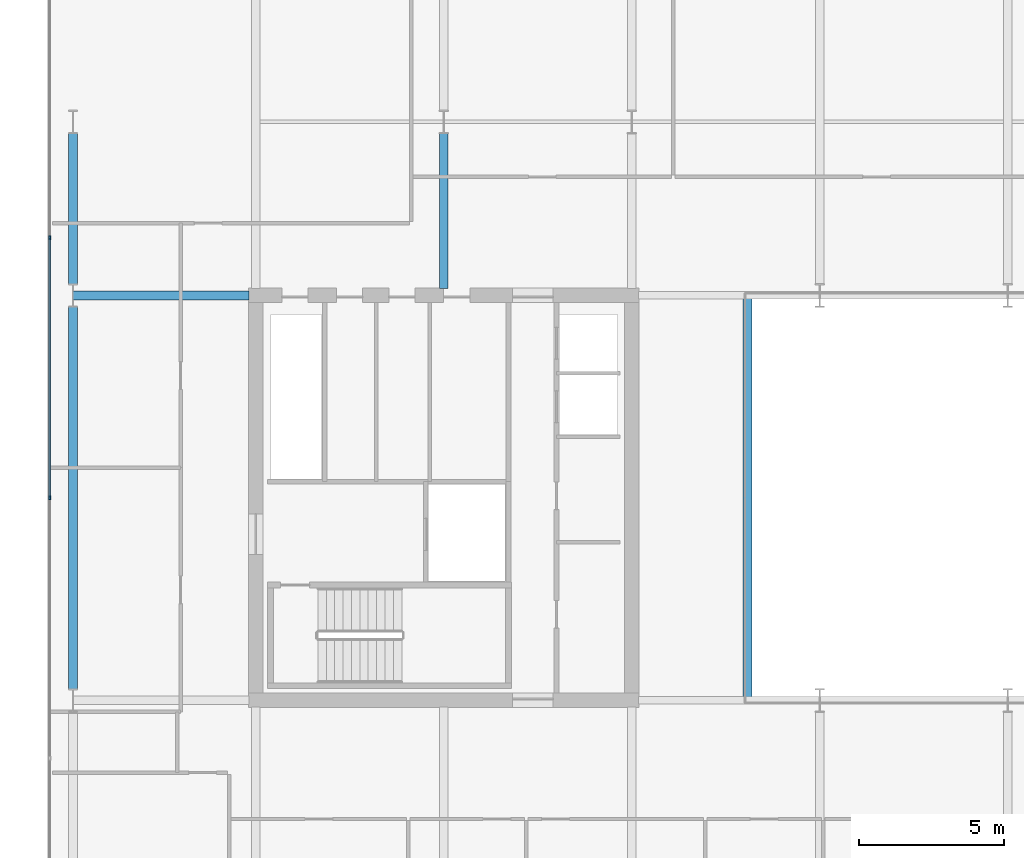
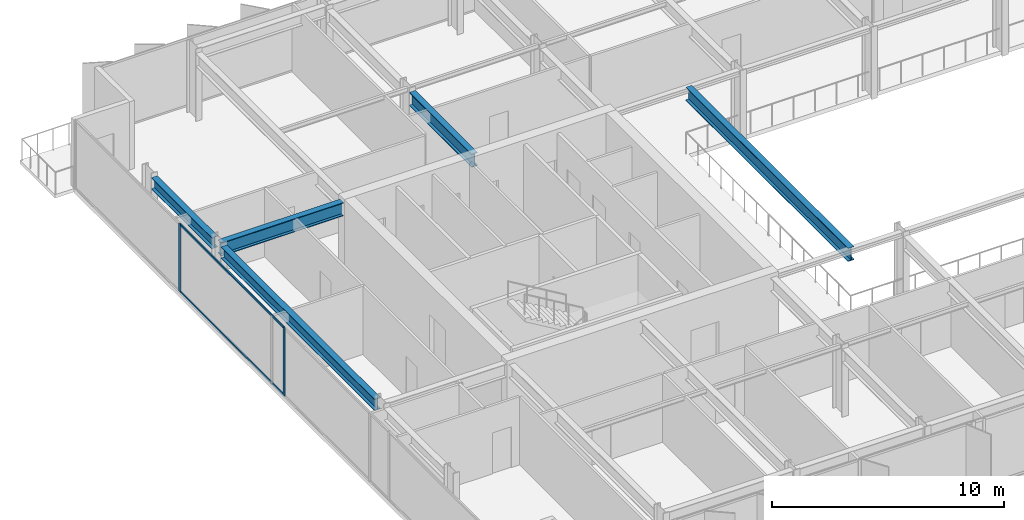
# One storey, part 5 of 23: 5 beams, 4 members, 1 element without a shape of its own.
"""IFC4 building model written with IfcOpenShell, lengths in metres."""

from ifc_helpers import new_model, si_unit, direction, frame, origin, origin_2d, place, context, subcontext, project, spatial, rectangle, i_section, extrude, material, layer, layer_set, material_profile, profile_set, type_object, element, aggregate, save


model = new_model("IFC4")

# Units and contexts
model_context = context("Model", 3, precision=1e-05, world=origin(), true_north=direction((0.0, 1.0)))
body_context = subcontext(model_context, "Body", "Model", "MODEL_VIEW")
ifc_project = project(units=[si_unit("LENGTHUNIT", "METRE"), si_unit("AREAUNIT", "SQUARE_METRE"), si_unit("VOLUMEUNIT", "CUBIC_METRE"), si_unit("PLANEANGLEUNIT", "RADIAN"), si_unit("MASSUNIT", "GRAM", prefix="KILO")], contexts=[model_context])

# Site, building, storey
site_placement = place(None, origin())
site = spatial("IfcSite", under=ifc_project, at=site_placement, CompositionType="ELEMENT")
building_placement = place(site_placement, origin())
building = spatial("IfcBuilding", under=site, at=building_placement, Name="Putna Gate Headquarters", CompositionType="ELEMENT")
storey_placement = place(building_placement, frame((0.0, 0.0, 217.60009765625)))
storey = spatial("IfcBuildingStorey", under=building, at=storey_placement, Name="L54", CompositionType="ELEMENT", Elevation=217.60009765625)

# Beams
ifc_material_1 = material(Name="Steel S355J2", Category="steel")
ifc_material_profile_1 = material_profile(ifc_material_1, i_section(OverallWidth=0.300048828125, OverallDepth=0.699951171875, WebThickness=0.01708984375, FlangeThickness=0.031982421875, at=origin_2d()), Name="Steel S355J2")
ifc_profile_set_1 = profile_set([ifc_material_profile_1], Name="Steel S355J2")
beam_type_1 = type_object("IfcBeamType", Name="BM-GIRD-B-HEB700", PredefinedType="USERDEFINED", material=ifc_profile_set_1)
beam_1_placement = place(storey_placement, frame((6.68603515625, 33.0, 3.22998046875), z_axis=(1.0, 0.0, 0.0), x_axis=(0.0, 1.0, 0.0)))
element("IfcBeam", 1, at=beam_1_placement, inside=storey, type_object=beam_type_1, Name="L54 West Wing Girder Y33", ObjectType="GIRDER", PredefinedType="USERDEFINED", context=body_context, shape_type="SweptSolid", body=[
    extrude(i_section(OverallWidth=0.300048828125, OverallDepth=0.699951171875, WebThickness=0.01708984375, FlangeThickness=0.031982421875, at=origin_2d()), origin(), (0.0, 0.0, 1.0), 6.078857421875),
])
beam_2_placement = place(storey_placement, frame((19.5, 33.235107421875, 3.22998046875), z_axis=(0.0, 1.0, 0.0), x_axis=(-1.0, 0.0, 0.0)))
element("IfcBeam", 2, at=beam_2_placement, inside=storey, type_object=beam_type_1, Name="L54 North Primary Girder X19-1", ObjectType="GIRDER", PredefinedType="USERDEFINED", context=body_context, shape_type="SweptSolid", body=[
    extrude(i_section(OverallWidth=0.300048828125, OverallDepth=0.699951171875, WebThickness=0.01708984375, FlangeThickness=0.031982421875, at=origin_2d()), origin(), (0.0, 0.0, 1.0), 5.369873046875),
])
beam_3_placement = place(storey_placement, frame((30.0, 19.010009765625, 3.22998046875), z_axis=(0.0, 1.0, 0.0), x_axis=(-1.0, 0.0, 0.0)))
element("IfcBeam", 3, at=beam_3_placement, inside=storey, type_object=beam_type_1, Name="L54 Atrium Trim Girder AW", ObjectType="GIRDER", PredefinedType="USERDEFINED", context=body_context, shape_type="SweptSolid", body=[
    extrude(i_section(OverallWidth=0.300048828125, OverallDepth=0.699951171875, WebThickness=0.01708984375, FlangeThickness=0.031982421875, at=origin_2d()), origin(), (0.0, 0.0, 1.0), 13.97998046875),
])
ifc_material_profile_2 = material_profile(ifc_material_1, i_section(OverallWidth=0.300048828125, OverallDepth=0.590087890625, WebThickness=0.012939453125, FlangeThickness=0.02490234375, at=origin_2d()), Name="Steel S355J2")
ifc_profile_set_2 = profile_set([ifc_material_profile_2], Name="Steel S355J2")
beam_type_2 = type_object("IfcBeamType", Name="BM-SPAN-Z4-HEA600", PredefinedType="SPANDREL", material=ifc_profile_set_2)
beam_4_placement = place(storey_placement, frame((6.679931640625, 19.39501953125, 3.284912109375), z_axis=(0.0, 1.0, 0.0), x_axis=(-1.0, 0.0, 0.0)))
element("IfcBeam", 4, at=beam_4_placement, inside=storey, type_object=beam_type_2, Name="L54 W End Spandrel 2", PredefinedType="SPANDREL", context=body_context, shape_type="SweptSolid", body=[
    extrude(i_section(OverallWidth=0.300048828125, OverallDepth=0.590087890625, WebThickness=0.012939453125, FlangeThickness=0.02490234375, at=origin_2d()), origin(), (0.0, 0.0, 1.0), 13.2099609375),
])
beam_5_placement = place(storey_placement, frame((6.679931640625, 33.39501953125, 3.284912109375), z_axis=(0.0, 1.0, 0.0), x_axis=(-1.0, 0.0, 0.0)))
element("IfcBeam", 5, at=beam_5_placement, inside=storey, type_object=beam_type_2, Name="L54 W End Spandrel 3", PredefinedType="SPANDREL", context=body_context, shape_type="SweptSolid", body=[
    extrude(i_section(OverallWidth=0.300048828125, OverallDepth=0.590087890625, WebThickness=0.012939453125, FlangeThickness=0.02490234375, at=origin_2d()), origin(), (0.0, 0.0, 1.0), 5.2099609375),
])

# Curtain wall, members
ifc_material_2 = material(Name="Anodised bronze aluminium curtain wall", Category="aluminium")
ifc_layer = layer(ifc_material_2, 0.139892578125)
ifc_layer_set = layer_set([ifc_layer], Name="Anodised bronze aluminium curtain wall")
curtain_wall_type = type_object("IfcCurtainWallType", Name="CW-SYS-Z4", PredefinedType="USERDEFINED", material=ifc_layer_set)
curtain_wall_placement = place(storey_placement, origin())
curtain_wall = element("IfcCurtainWall", 6, at=curtain_wall_placement, inside=storey, type_object=curtain_wall_type, Name="L54 West Curtain Wall", ObjectType="STICK CURTAIN WALL", PredefinedType="USERDEFINED")
ifc_material_3 = material(Name="Anodised bronze aluminium EN AW-6060", Category="aluminium")
ifc_material_profile_3 = material_profile(ifc_material_3, rectangle(XDim=0.06005859375, YDim=0.139892578125, at=origin_2d()), Name="Anodised bronze aluminium EN AW-6060")
ifc_profile_set_3 = profile_set([ifc_material_profile_3], Name="Anodised bronze aluminium EN AW-6060")
member_type_1 = type_object("IfcMemberType", Name="MULL-CWM-4", PredefinedType="MULLION", material=ifc_profile_set_3)
member_1_placement = place(storey_placement, frame((5.8798828125, 26.0, 0.0), z_axis=(0.0, 0.0, 1.0), x_axis=(-1.0, 0.0, 0.0)))
member_1 = element("IfcMember", 7, at=member_1_placement, type_object=member_type_1, Name="CWS-4 mullion 3", PredefinedType="MULLION", context=body_context, shape_type="SweptSolid", body=[
    extrude(rectangle(XDim=0.06005859375, YDim=0.139892578125, at=origin_2d()), origin(), (0.0, 0.0, 1.0), 3.579833984375),
])
member_2_placement = place(storey_placement, frame((5.8798828125, 35.0, 0.0), z_axis=(0.0, 0.0, 1.0), x_axis=(-1.0, 0.0, 0.0)))
member_2 = element("IfcMember", 8, at=member_2_placement, type_object=member_type_1, Name="CWS-4 mullion 4", PredefinedType="MULLION", context=body_context, shape_type="SweptSolid", body=[
    extrude(rectangle(XDim=0.06005859375, YDim=0.139892578125, at=origin_2d()), origin(), (0.0, 0.0, 1.0), 3.579833984375),
])
ifc_material_profile_4 = material_profile(ifc_material_3, rectangle(XDim=0.06005859375, YDim=0.10009765625, at=origin_2d()), Name="Anodised bronze aluminium EN AW-6060")
ifc_profile_set_4 = profile_set([ifc_material_profile_4], Name="Anodised bronze aluminium EN AW-6060")
member_type_2 = type_object("IfcMemberType", Name="TRAN-CWT-4", PredefinedType="USERDEFINED", material=ifc_profile_set_4)
member_3_placement = place(storey_placement, frame((5.8798828125, 26.030029296875, 0.02978515625), z_axis=(0.0, 1.0, 0.0), x_axis=(-1.0, 0.0, 0.0)))
member_3 = element("IfcMember", 9, at=member_3_placement, type_object=member_type_2, Name="CWS-4 transom 3.1", ObjectType="TRANSOM", PredefinedType="USERDEFINED", context=body_context, shape_type="SweptSolid", body=[
    extrude(rectangle(XDim=0.06005859375, YDim=0.10009765625, at=origin_2d()), origin(), (0.0, 0.0, 1.0), 8.93994140625),
])
member_4_placement = place(storey_placement, frame((5.8798828125, 26.030029296875, 3.5498046875), z_axis=(0.0, 1.0, 0.0), x_axis=(-1.0, 0.0, 0.0)))
member_4 = element("IfcMember", 10, at=member_4_placement, type_object=member_type_2, Name="CWS-4 transom 3.2", ObjectType="TRANSOM", PredefinedType="USERDEFINED", context=body_context, shape_type="SweptSolid", body=[
    extrude(rectangle(XDim=0.06005859375, YDim=0.10009765625, at=origin_2d()), origin(), (0.0, 0.0, 1.0), 8.93994140625),
])
aggregate(curtain_wall, [member_1, member_2, member_3, member_4])

save(model, "model.ifc")
